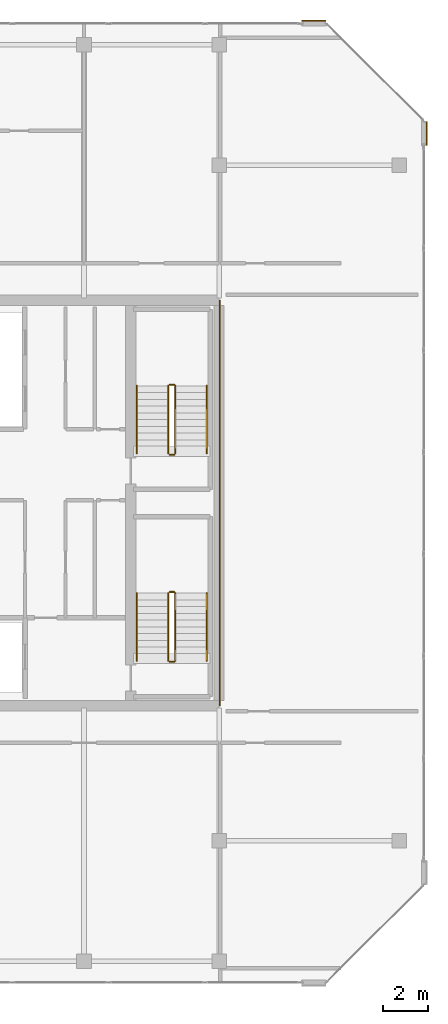
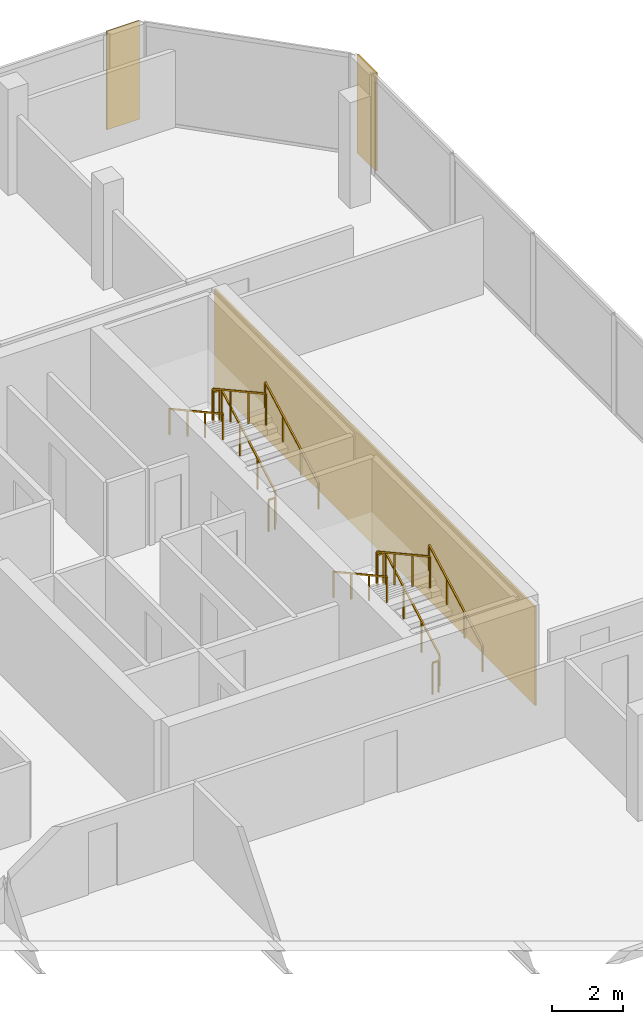
# One storey, part 30 of 30: 12 railings, 3 coverings.
"""IFC4 building model written with IfcOpenShell, lengths in metres."""

from ifc_helpers import new_model, si_unit, direction, frame, origin, origin_2d, place, context, subcontext, project, spatial, rectangle, extrude, material, layer, layer_set, type_object, element, save


model = new_model("IFC4")

# Units and contexts
model_context = context("Model", 3, precision=1e-05, world=origin(), true_north=direction((0.0, 1.0)))
body_context = subcontext(model_context, "Body", "Model", "MODEL_VIEW")
ifc_project = project(units=[si_unit("LENGTHUNIT", "METRE"), si_unit("AREAUNIT", "SQUARE_METRE"), si_unit("VOLUMEUNIT", "CUBIC_METRE"), si_unit("PLANEANGLEUNIT", "RADIAN"), si_unit("MASSUNIT", "GRAM", prefix="KILO")], contexts=[model_context])

# Site, building, storey
site_placement = place(None, origin())
site = spatial("IfcSite", under=ifc_project, at=site_placement, CompositionType="ELEMENT")
building_placement = place(site_placement, origin())
building = spatial("IfcBuilding", under=site, at=building_placement, Name="Tanjung Sevakor Pilgrim Tower", CompositionType="ELEMENT")
storey_placement = place(building_placement, frame((0.0, 0.0, 253.43994140625)))
storey = spatial("IfcBuildingStorey", under=building, at=storey_placement, Name="L71", CompositionType="ELEMENT", Elevation=253.43994140625)

# Coverings
ifc_material_1 = material(Name="Reconstructed Limestone Cladding", Category="masonry")
ifc_layer = layer(ifc_material_1, 0.044921875)
ifc_layer_set = layer_set([ifc_layer], Name="COV-CLAD-LIMESTONE")
covering_type = type_object("IfcCoveringType", Name="COV-CLAD-LIMESTONE", PredefinedType="CLADDING", material=ifc_layer_set)
for number, where, z_axis, x_axis, name in (
    (1, (99.222412109375, 50.00439453125, 0.02001953125), (0.0, 0.0, 1.0), (0.0, 1.0, 0.0), "L71 Warm Limestone Wall Cladding EW-CRN2-L71-EAST-2-1"),
    (2, (94.204345703125, 55.0224609375, 0.02001953125), (0.0, 0.0, 1.0), (-1.0, 0.0, 0.0), "L71 Warm Limestone Wall Cladding EW-CRN1-L71-EAST-4-1"),
):
    element("IfcCovering", number, at=place(storey_placement, frame(where, z_axis=z_axis, x_axis=x_axis)), inside=storey, type_object=covering_type, Name=name, PredefinedType="CLADDING", context=body_context, shape_type="SweptSolid", body=[
        extrude(rectangle(XDim=1.06005859375, YDim=0.044921875, at=origin_2d()), origin(), (0.0, 0.0, 1.0), 3.3701171875),
    ])
covering_placement = place(storey_placement, frame((90.0224609375, 33.60009765625, 0.02001953125), z_axis=(0.0, 0.0, 1.0), x_axis=(1.0, 0.0, 0.0)))
element("IfcCovering", 3, at=covering_placement, inside=storey, type_object=covering_type, Name="L71 Expressed Core Warm Limestone Cladding E", PredefinedType="CLADDING", context=body_context, shape_type="SweptSolid", body=[
    extrude(rectangle(XDim=0.044921875, YDim=18.0, at=origin_2d()), origin(), (0.0, 0.0, 1.0), 3.3701171875),
])

# Railings
ifc_material_2 = material(Name="Steel S355J2", Category="steel")
railing_type_1 = type_object("IfcRailingType", Name="RL-STAIR-GUARD", PredefinedType="GUARDRAIL", material=ifc_material_2)
railing_1_placement = place(storey_placement, frame((88.050048828125, 26.60009765625, 0.1650390625)))
element("IfcRailing", 4, at=railing_1_placement, inside=storey, type_object=railing_type_1, Name="L71 TS-E1 stair guard 1", PredefinedType="GUARDRAIL", context=body_context, shape_type="SweptSolid", body=[
    extrude(rectangle(XDim=0.0479, YDim=0.0479), frame((0.0, 0.0, 1.076171875), z_axis=(0.0, 0.876227952683, 0.48189685093), x_axis=(-1.0, 0.0, 0.0)), (0.0, 0.0, 1.0), 3.423828125),
    extrude(rectangle(XDim=0.042, YDim=0.042), origin(), (0.0, 0.0, 1.0), 1.052001953125),
    extrude(rectangle(XDim=0.042, YDim=0.042), frame((0.0, 1.0, 0.550048828125)), (0.0, 0.0, 1.0), 1.052001953125),
    extrude(rectangle(XDim=0.042, YDim=0.042), frame((0.0, 2.0, 1.099853515625)), (0.0, 0.0, 1.0), 1.052001953125),
    extrude(rectangle(XDim=0.042, YDim=0.042), frame((0.0, 3.0, 1.64990234375)), (0.0, 0.0, 1.0), 1.052001953125),
])
railing_2_placement = place(storey_placement, frame((88.0, 29.64990234375, 1.81494140625)))
element("IfcRailing", 5, at=railing_2_placement, inside=storey, type_object=railing_type_1, Name="L71 TS-E1 stair guard 2", PredefinedType="GUARDRAIL", context=body_context, shape_type="SweptSolid", body=[
    extrude(rectangle(XDim=0.0479, YDim=0.0479), frame((0.0, 0.0, 1.076171875), z_axis=(-1.0, 0.0, 0.0), x_axis=(0.0, -1.0, 0.0)), (0.0, 0.0, 1.0), 0.199951171875),
    extrude(rectangle(XDim=0.042, YDim=0.042), origin(), (0.0, 0.0, 1.0), 1.052001953125),
    extrude(rectangle(XDim=0.042, YDim=0.042), frame((-0.199951171875, 0.0, 0.0)), (0.0, 0.0, 1.0), 1.052001953125),
])
railing_3_placement = place(storey_placement, frame((87.75, 29.60009765625, 1.97998046875)))
element("IfcRailing", 6, at=railing_3_placement, inside=storey, type_object=railing_type_1, Name="L71 TS-E1 stair guard 3", PredefinedType="GUARDRAIL", context=body_context, shape_type="SweptSolid", body=[
    extrude(rectangle(XDim=0.0479, YDim=0.0479), frame((0.0, 0.0, 1.076171875), z_axis=(0.0, -0.876197842262, 0.481951596342), x_axis=(1.0, 0.0, 0.0)), (0.0, 0.0, 1.0), 3.423828125),
    extrude(rectangle(XDim=0.042, YDim=0.042), origin(), (0.0, 0.0, 1.0), 1.052001953125),
    extrude(rectangle(XDim=0.042, YDim=0.042), frame((0.0, -1.0, 0.550048828125)), (0.0, 0.0, 1.0), 1.052001953125),
    extrude(rectangle(XDim=0.042, YDim=0.042), frame((0.0, -2.0, 1.10009765625)), (0.0, 0.0, 1.0), 1.052001953125),
    extrude(rectangle(XDim=0.042, YDim=0.042), frame((0.0, -3.0, 1.650146484375)), (0.0, 0.0, 1.0), 1.052001953125),
])
railing_4_placement = place(storey_placement, frame((88.0, 26.550048828125, 0.0)))
element("IfcRailing", 7, at=railing_4_placement, inside=storey, type_object=railing_type_1, Name="L71 TS-E1 stair guard 4", PredefinedType="GUARDRAIL", context=body_context, shape_type="SweptSolid", body=[
    extrude(rectangle(XDim=0.0479, YDim=0.0479), frame((0.0, 0.0, 1.076171875), z_axis=(-1.0, 0.0, 0.0), x_axis=(0.0, -1.0, 0.0)), (0.0, 0.0, 1.0), 0.199951171875),
    extrude(rectangle(XDim=0.042, YDim=0.042), origin(), (0.0, 0.0, 1.0), 1.052001953125),
    extrude(rectangle(XDim=0.042, YDim=0.042), frame((-0.199951171875, 0.0, 0.0)), (0.0, 0.0, 1.0), 1.052001953125),
])
railing_5_placement = place(storey_placement, frame((88.050048828125, 35.800048828125, 0.1650390625)))
element("IfcRailing", 8, at=railing_5_placement, inside=storey, type_object=railing_type_1, Name="L71 TS-E2 stair guard 1", PredefinedType="GUARDRAIL", context=body_context, shape_type="SweptSolid", body=[
    extrude(rectangle(XDim=0.0479, YDim=0.0479), frame((0.0, 0.0, 1.076171875), z_axis=(0.0, 0.876227952683, 0.48189685093), x_axis=(-1.0, 0.0, 0.0)), (0.0, 0.0, 1.0), 3.423828125),
    extrude(rectangle(XDim=0.042, YDim=0.042), origin(), (0.0, 0.0, 1.0), 1.052001953125),
    extrude(rectangle(XDim=0.042, YDim=0.042), frame((0.0, 1.0, 0.550048828125)), (0.0, 0.0, 1.0), 1.052001953125),
    extrude(rectangle(XDim=0.042, YDim=0.042), frame((0.0, 2.0, 1.099853515625)), (0.0, 0.0, 1.0), 1.052001953125),
    extrude(rectangle(XDim=0.042, YDim=0.042), frame((0.0, 3.0, 1.64990234375)), (0.0, 0.0, 1.0), 1.052001953125),
])
railing_6_placement = place(storey_placement, frame((88.0, 38.85009765625, 1.81494140625)))
element("IfcRailing", 9, at=railing_6_placement, inside=storey, type_object=railing_type_1, Name="L71 TS-E2 stair guard 2", PredefinedType="GUARDRAIL", context=body_context, shape_type="SweptSolid", body=[
    extrude(rectangle(XDim=0.0479, YDim=0.0479), frame((0.0, 0.0, 1.076171875), z_axis=(-1.0, 0.0, 0.0), x_axis=(0.0, -1.0, 0.0)), (0.0, 0.0, 1.0), 0.199951171875),
    extrude(rectangle(XDim=0.042, YDim=0.042), origin(), (0.0, 0.0, 1.0), 1.052001953125),
    extrude(rectangle(XDim=0.042, YDim=0.042), frame((-0.199951171875, 0.0, 0.0)), (0.0, 0.0, 1.0), 1.052001953125),
])
railing_7_placement = place(storey_placement, frame((87.75, 38.800048828125, 1.97998046875)))
element("IfcRailing", 10, at=railing_7_placement, inside=storey, type_object=railing_type_1, Name="L71 TS-E2 stair guard 3", PredefinedType="GUARDRAIL", context=body_context, shape_type="SweptSolid", body=[
    extrude(rectangle(XDim=0.0479, YDim=0.0479), frame((0.0, 0.0, 1.076171875), z_axis=(0.0, -0.876197842262, 0.481951596342), x_axis=(1.0, 0.0, 0.0)), (0.0, 0.0, 1.0), 3.423828125),
    extrude(rectangle(XDim=0.042, YDim=0.042), origin(), (0.0, 0.0, 1.0), 1.052001953125),
    extrude(rectangle(XDim=0.042, YDim=0.042), frame((0.0, -1.0, 0.550048828125)), (0.0, 0.0, 1.0), 1.052001953125),
    extrude(rectangle(XDim=0.042, YDim=0.042), frame((0.0, -2.0, 1.10009765625)), (0.0, 0.0, 1.0), 1.052001953125),
    extrude(rectangle(XDim=0.042, YDim=0.042), frame((0.0, -3.0, 1.650146484375)), (0.0, 0.0, 1.0), 1.052001953125),
])
railing_8_placement = place(storey_placement, frame((88.0, 35.75, 0.0)))
element("IfcRailing", 11, at=railing_8_placement, inside=storey, type_object=railing_type_1, Name="L71 TS-E2 stair guard 4", PredefinedType="GUARDRAIL", context=body_context, shape_type="SweptSolid", body=[
    extrude(rectangle(XDim=0.0479, YDim=0.0479), frame((0.0, 0.0, 1.076171875), z_axis=(-1.0, 0.0, 0.0), x_axis=(0.0, -1.0, 0.0)), (0.0, 0.0, 1.0), 0.199951171875),
    extrude(rectangle(XDim=0.042, YDim=0.042), origin(), (0.0, 0.0, 1.0), 1.052001953125),
    extrude(rectangle(XDim=0.042, YDim=0.042), frame((-0.199951171875, 0.0, 0.0)), (0.0, 0.0, 1.0), 1.052001953125),
])
ifc_material_3 = material(Name="Steel S355J2", Category="steel")
railing_type_2 = type_object("IfcRailingType", Name="RL-STAIR-HAND", PredefinedType="HANDRAIL", material=ifc_material_3)
railing_9_placement = place(storey_placement, frame((89.449951171875, 26.60009765625, 0.1650390625)))
element("IfcRailing", 12, at=railing_9_placement, inside=storey, type_object=railing_type_2, Name="L71 TS-E1 stair handrail 1", PredefinedType="HANDRAIL", context=body_context, shape_type="SweptSolid", body=[
    extrude(rectangle(XDim=0.0479, YDim=0.0479), frame((0.0, 0.0, 0.8759765625), z_axis=(0.0, 0.876227952683, 0.48189685093), x_axis=(-1.0, 0.0, 0.0)), (0.0, 0.0, 1.0), 3.423828125),
    extrude(rectangle(XDim=0.042, YDim=0.042), origin(), (0.0, 0.0, 1.0), 0.851806640625),
    extrude(rectangle(XDim=0.042, YDim=0.042), frame((0.0, 1.0, 0.550048828125)), (0.0, 0.0, 1.0), 0.851806640625),
    extrude(rectangle(XDim=0.042, YDim=0.042), frame((0.0, 2.0, 1.099853515625)), (0.0, 0.0, 1.0), 0.851806640625),
    extrude(rectangle(XDim=0.042, YDim=0.042), frame((0.0, 3.0, 1.64990234375)), (0.0, 0.0, 1.0), 0.851806640625),
])
railing_10_placement = place(storey_placement, frame((86.35009765625, 29.60009765625, 1.97998046875)))
element("IfcRailing", 13, at=railing_10_placement, inside=storey, type_object=railing_type_2, Name="L71 TS-E1 stair handrail 2", PredefinedType="HANDRAIL", context=body_context, shape_type="SweptSolid", body=[
    extrude(rectangle(XDim=0.0479, YDim=0.0479), frame((0.0, 0.0, 0.8759765625), z_axis=(0.0, -0.876197842262, 0.481951596342), x_axis=(1.0, 0.0, 0.0)), (0.0, 0.0, 1.0), 3.423828125),
    extrude(rectangle(XDim=0.042, YDim=0.042), origin(), (0.0, 0.0, 1.0), 0.851806640625),
    extrude(rectangle(XDim=0.042, YDim=0.042), frame((0.0, -1.0, 0.550048828125)), (0.0, 0.0, 1.0), 0.851806640625),
    extrude(rectangle(XDim=0.042, YDim=0.042), frame((0.0, -2.0, 1.10009765625)), (0.0, 0.0, 1.0), 0.851806640625),
    extrude(rectangle(XDim=0.042, YDim=0.042), frame((0.0, -3.0, 1.650146484375)), (0.0, 0.0, 1.0), 0.851806640625),
])
railing_11_placement = place(storey_placement, frame((89.449951171875, 35.800048828125, 0.1650390625)))
element("IfcRailing", 14, at=railing_11_placement, inside=storey, type_object=railing_type_2, Name="L71 TS-E2 stair handrail 1", PredefinedType="HANDRAIL", context=body_context, shape_type="SweptSolid", body=[
    extrude(rectangle(XDim=0.0479, YDim=0.0479), frame((0.0, 0.0, 0.8759765625), z_axis=(0.0, 0.876227952683, 0.48189685093), x_axis=(-1.0, 0.0, 0.0)), (0.0, 0.0, 1.0), 3.423828125),
    extrude(rectangle(XDim=0.042, YDim=0.042), origin(), (0.0, 0.0, 1.0), 0.851806640625),
    extrude(rectangle(XDim=0.042, YDim=0.042), frame((0.0, 1.0, 0.550048828125)), (0.0, 0.0, 1.0), 0.851806640625),
    extrude(rectangle(XDim=0.042, YDim=0.042), frame((0.0, 2.0, 1.099853515625)), (0.0, 0.0, 1.0), 0.851806640625),
    extrude(rectangle(XDim=0.042, YDim=0.042), frame((0.0, 3.0, 1.64990234375)), (0.0, 0.0, 1.0), 0.851806640625),
])
railing_12_placement = place(storey_placement, frame((86.35009765625, 38.800048828125, 1.97998046875)))
element("IfcRailing", 15, at=railing_12_placement, inside=storey, type_object=railing_type_2, Name="L71 TS-E2 stair handrail 2", PredefinedType="HANDRAIL", context=body_context, shape_type="SweptSolid", body=[
    extrude(rectangle(XDim=0.0479, YDim=0.0479), frame((0.0, 0.0, 0.8759765625), z_axis=(0.0, -0.876197842262, 0.481951596342), x_axis=(1.0, 0.0, 0.0)), (0.0, 0.0, 1.0), 3.423828125),
    extrude(rectangle(XDim=0.042, YDim=0.042), origin(), (0.0, 0.0, 1.0), 0.851806640625),
    extrude(rectangle(XDim=0.042, YDim=0.042), frame((0.0, -1.0, 0.550048828125)), (0.0, 0.0, 1.0), 0.851806640625),
    extrude(rectangle(XDim=0.042, YDim=0.042), frame((0.0, -2.0, 1.10009765625)), (0.0, 0.0, 1.0), 0.851806640625),
    extrude(rectangle(XDim=0.042, YDim=0.042), frame((0.0, -3.0, 1.650146484375)), (0.0, 0.0, 1.0), 0.851806640625),
])

save(model, "model.ifc")
